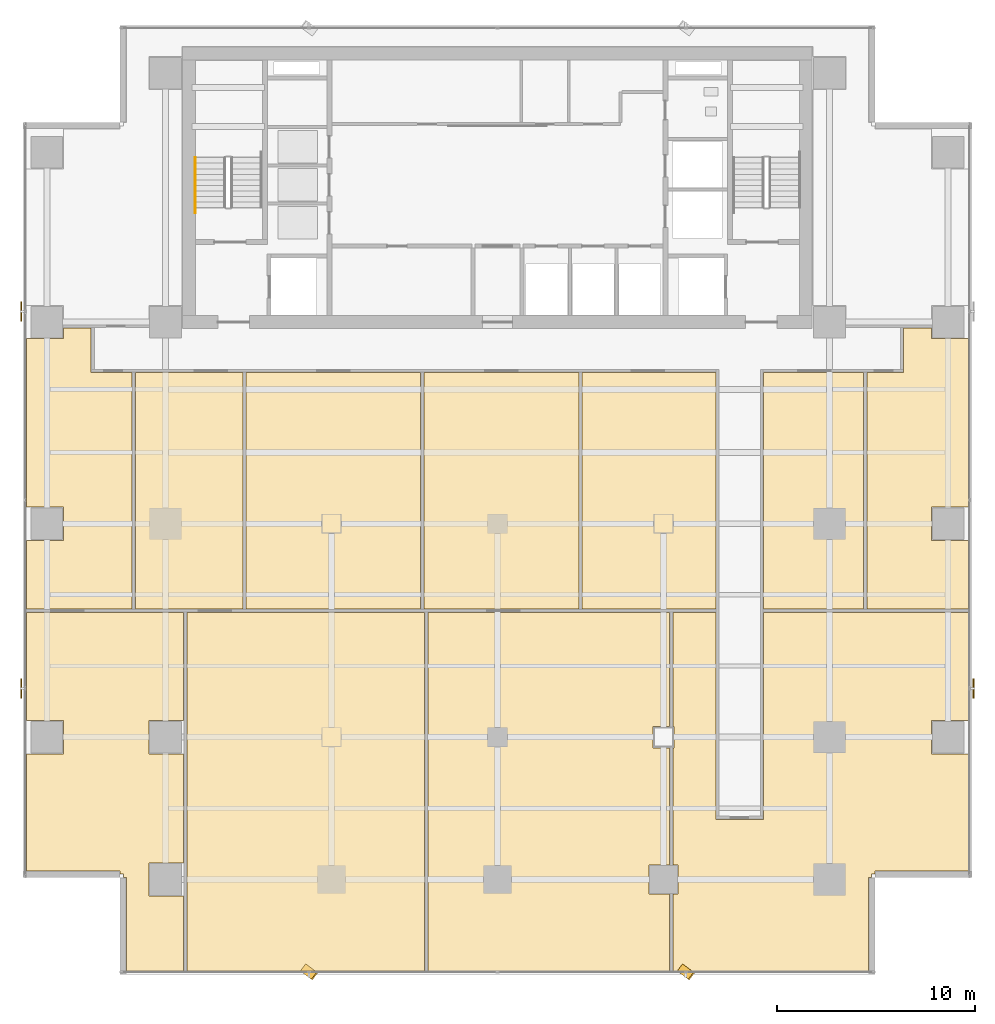
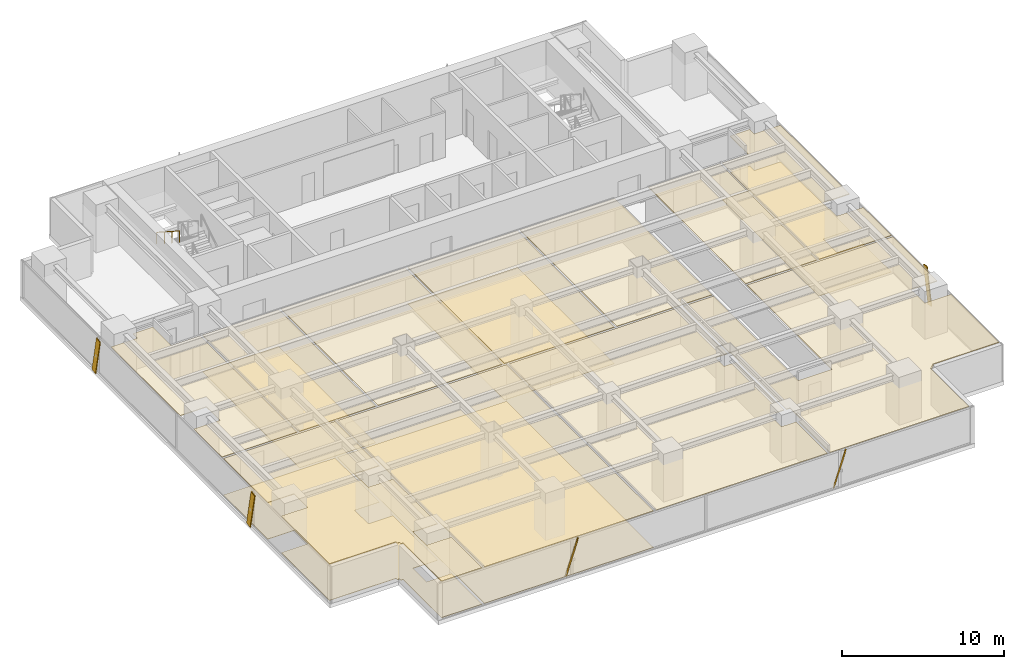
# One storey, part 24 of 29: 16 coverings, 5 shading devices, 1 railing.
"""IFC4 building model written with IfcOpenShell, lengths in metres."""

from ifc_helpers import new_model, si_unit, direction, frame, origin, origin_2d, place, context, subcontext, project, spatial, polyline, rectangle, outline, extrude, source, transform, mapped, material, layer, layer_set, material_profile, profile_set, type_object, element, save


model = new_model("IFC4")

# Units and contexts
model_context = context("Model", 3, precision=1e-05, world=origin(), true_north=direction((0.0, 1.0)))
body_context = subcontext(model_context, "Body", "Model", "MODEL_VIEW")
ifc_project = project(units=[si_unit("LENGTHUNIT", "METRE"), si_unit("AREAUNIT", "SQUARE_METRE"), si_unit("VOLUMEUNIT", "CUBIC_METRE"), si_unit("PLANEANGLEUNIT", "RADIAN"), si_unit("MASSUNIT", "GRAM", prefix="KILO")], contexts=[model_context])

# Site, building, storey
site_placement = place(None, origin())
site = spatial("IfcSite", under=ifc_project, at=site_placement, CompositionType="ELEMENT")
building_placement = place(site_placement, origin())
building = spatial("IfcBuilding", under=site, at=building_placement, Name="Sumidabori Civic Tower", CompositionType="ELEMENT")
storey_placement = place(building_placement, frame((0.0, 0.0, 131.60009765625)))
storey = spatial("IfcBuildingStorey", under=building, at=storey_placement, Name="L33", CompositionType="ELEMENT", Elevation=131.60009765625)

# Coverings
ifc_material_1 = material(Name="Anodised Bronze Baffle Ceiling")
ifc_layer_1 = layer(ifc_material_1, 0.054931640625, Name="Anodised Bronze Baffle Ceiling")
ifc_layer_set_1 = layer_set([ifc_layer_1], Name="Anodised Bronze Baffle Ceiling")
covering_type_1 = type_object("IfcCoveringType", Name="CV-CEIL-AC3", PredefinedType="CEILING", material=ifc_layer_set_1)
covering_1_placement = place(storey_placement, frame((0.0, 0.0, 2.72998046875)))
element("IfcCovering", 1, at=covering_1_placement, inside=storey, type_object=covering_type_1, Name="Room Acoustic Ceiling L33-02", PredefinedType="CEILING", context=body_context, shape_type="SweptSolid", body=[
    extrude(outline(polyline([(-23.830078125, -4.3125), (-23.830078125, -0.840087890625), (-21.9599609375, -0.840087890625), (-21.9599609375, 0.840087890625), (-23.830078125, 0.840087890625), (-23.830078125, 9.360107421875), (-21.9599609375, 9.360107421875), (-21.9599609375, 9.91259765625), (-20.554931640625, 9.91259765625), (-20.554931640625, 7.64501953125), (-18.487548828125, 7.64501953125), (-18.487548828125, -4.3125), (-23.830078125, -4.3125)])), origin(), (0.0, 0.0, 1.0), 0.054931640625),
])
covering_2_placement = place(storey_placement, frame((0.0, 0.0, 2.72998046875)))
element("IfcCovering", 2, at=covering_2_placement, inside=storey, type_object=covering_type_1, Name="Room Acoustic Ceiling L33-03", PredefinedType="CEILING", context=body_context, shape_type="SweptSolid", body=[
    extrude(outline(polyline([(23.830078125, 0.840087890625), (21.9599609375, 0.840087890625), (21.9599609375, -0.840087890625), (23.830078125, -0.840087890625), (23.830078125, -4.3125), (18.6875, -4.3125), (18.6875, 7.64501953125), (20.554931640625, 7.64501953125), (20.554931640625, 9.91259765625), (21.9599609375, 9.91259765625), (21.9599609375, 9.360107421875), (23.830078125, 9.360107421875), (23.830078125, 0.840087890625)])), origin(), (0.0, 0.0, 1.0), 0.054931640625),
])
covering_3_placement = place(storey_placement, frame((0.0, 0.0, 2.72998046875)))
element("IfcCovering", 3, at=covering_3_placement, inside=storey, type_object=covering_type_1, Name="Room Acoustic Ceiling L33-04", PredefinedType="CEILING", context=body_context, shape_type="SweptSolid", body=[
    extrude(outline(polyline([(13.455078125, -4.3125), (13.455078125, 7.64501953125), (18.512451171875, 7.64501953125), (18.512451171875, -4.3125), (13.455078125, -4.3125)])), origin(), (0.0, 0.0, 1.0), 0.054931640625),
])
covering_4_placement = place(storey_placement, frame((0.0, 0.0, 2.72998046875)))
element("IfcCovering", 4, at=covering_4_placement, inside=storey, type_object=covering_type_1, Name="Room Acoustic Ceiling L33-05", PredefinedType="CEILING", context=body_context, shape_type="SweptSolid", body=[
    extrude(outline(polyline([(-18.3125, -4.3125), (-18.3125, 7.64501953125), (-12.887451171875, 7.64501953125), (-12.887451171875, -4.3125), (-18.3125, -4.3125)])), origin(), (0.0, 0.0, 1.0), 0.054931640625),
])
covering_5_placement = place(storey_placement, frame((0.0, 0.0, 2.72998046875)))
element("IfcCovering", 5, at=covering_5_placement, inside=storey, type_object=covering_type_1, Name="Room Acoustic Ceiling L33-06", PredefinedType="CEILING", context=body_context, shape_type="SweptSolid", body=[
    extrude(outline(polyline([(-12.71240234375, -4.3125), (-12.71240234375, 7.64501953125), (-3.887451171875, 7.64501953125), (-3.887451171875, -4.3125), (-12.71240234375, -4.3125)])), origin(), (0.0, 0.0, 1.0), 0.054931640625),
])
covering_6_placement = place(storey_placement, frame((0.0, 0.0, 2.72998046875)))
element("IfcCovering", 6, at=covering_6_placement, inside=storey, type_object=covering_type_1, Name="Room Acoustic Ceiling L33-07", PredefinedType="CEILING", context=body_context, shape_type="SweptSolid", body=[
    extrude(outline(polyline([(-3.71240234375, -4.3125), (-3.71240234375, 7.64501953125), (4.112548828125, 7.64501953125), (4.112548828125, -4.3125), (-3.71240234375, -4.3125)])), origin(), (0.0, 0.0, 1.0), 0.054931640625),
])
covering_7_placement = place(storey_placement, frame((0.0, 0.0, 2.72998046875)))
element("IfcCovering", 7, at=covering_7_placement, inside=storey, type_object=covering_type_1, Name="Room Acoustic Ceiling L33-08", PredefinedType="CEILING", context=body_context, shape_type="SweptSolid", body=[
    extrude(outline(polyline([(4.28759765625, -4.3125), (4.28759765625, 7.64501953125), (11.044921875, 7.64501953125), (11.044921875, -4.3125), (4.28759765625, -4.3125)])), origin(), (0.0, 0.0, 1.0), 0.054931640625),
])
covering_8_placement = place(storey_placement, frame((0.0, 0.0, 2.72998046875)))
element("IfcCovering", 8, at=covering_8_placement, inside=storey, type_object=covering_type_1, Name="Room Acoustic Ceiling L33-09", PredefinedType="CEILING", context=body_context, shape_type="SweptSolid", body=[
    extrude(outline(polyline([(-23.830078125, -4.487548828125), (-15.887451171875, -4.487548828125), (-15.887451171875, -9.9599609375), (-17.639892578125, -9.9599609375), (-17.639892578125, -11.639892578125), (-15.887451171875, -11.639892578125), (-15.887451171875, -17.159912109375), (-17.639892578125, -17.159912109375), (-17.639892578125, -18.840087890625), (-15.887451171875, -18.840087890625), (-15.887451171875, -22.6298828125), (-18.77197265625, -22.6298828125), (-18.77197265625, -17.89208984375), (-18.929931640625, -17.89208984375), (-18.929931640625, -17.72998046875), (-19.092041015625, -17.72998046875), (-19.092041015625, -17.572021484375), (-23.830078125, -17.572021484375), (-23.830078125, -11.639892578125), (-21.9599609375, -11.639892578125), (-21.9599609375, -9.9599609375), (-23.830078125, -9.9599609375), (-23.830078125, -4.487548828125)])), origin(), (0.0, 0.0, 1.0), 0.054931640625),
])
covering_9_placement = place(storey_placement, frame((0.0, 0.0, 2.72998046875)))
element("IfcCovering", 9, at=covering_9_placement, inside=storey, type_object=covering_type_1, Name="Room Acoustic Ceiling L33-10", PredefinedType="CEILING", context=body_context, shape_type="SweptSolid", body=[
    extrude(outline(polyline([(8.93994140625, -10.260009765625), (8.887451171875, -10.260009765625), (8.887451171875, -4.487548828125), (11.044921875, -4.487548828125), (11.044921875, -14.955078125), (13.455078125, -14.955078125), (13.455078125, -4.487548828125), (23.830078125, -4.487548828125), (23.830078125, -9.9599609375), (21.9599609375, -9.9599609375), (21.9599609375, -11.639892578125), (23.830078125, -11.639892578125), (23.830078125, -17.572021484375), (19.092041015625, -17.572021484375), (19.092041015625, -17.72998046875), (18.929931640625, -17.72998046875), (18.929931640625, -17.89208984375), (18.77197265625, -17.89208984375), (18.77197265625, -22.6298828125), (8.887451171875, -22.6298828125), (8.887451171875, -18.739990234375), (9.139892578125, -18.739990234375), (9.139892578125, -17.260009765625), (8.887451171875, -17.260009765625), (8.887451171875, -11.340087890625), (8.93994140625, -11.340087890625), (8.93994140625, -10.260009765625)])), origin(), (0.0, 0.0, 1.0), 0.054931640625),
])
covering_10_placement = place(storey_placement, frame((0.0, 0.0, 2.72998046875)))
element("IfcCovering", 10, at=covering_10_placement, inside=storey, type_object=covering_type_1, Name="Room Acoustic Ceiling L33-11", PredefinedType="CEILING", context=body_context, shape_type="SweptSolid", body=[
    extrude(outline(polyline([(-15.71240234375, -4.487548828125), (-3.6875, -4.487548828125), (-3.6875, -22.6298828125), (-15.71240234375, -22.6298828125), (-15.71240234375, -4.487548828125)])), origin(), (0.0, 0.0, 1.0), 0.054931640625),
])
covering_11_placement = place(storey_placement, frame((0.0, 0.0, 2.72998046875)))
element("IfcCovering", 11, at=covering_11_placement, inside=storey, type_object=covering_type_1, Name="Room Acoustic Ceiling L33-12", PredefinedType="CEILING", context=body_context, shape_type="SweptSolid", body=[
    extrude(outline(polyline([(-3.512451171875, -4.487548828125), (8.71240234375, -4.487548828125), (8.71240234375, -10.260009765625), (7.860107421875, -10.260009765625), (7.860107421875, -11.340087890625), (8.71240234375, -11.340087890625), (8.71240234375, -17.260009765625), (7.659912109375, -17.260009765625), (7.659912109375, -18.739990234375), (8.71240234375, -18.739990234375), (8.71240234375, -22.6298828125), (-3.512451171875, -22.6298828125), (-3.512451171875, -4.487548828125)])), origin(), (0.0, 0.0, 1.0), 0.054931640625),
])
ifc_material_2 = material(Name="Honed Terrazzo Tile Flooring")
ifc_layer_2 = layer(ifc_material_2, 0.030029296875, Name="Honed Terrazzo Tile Flooring")
ifc_layer_set_2 = layer_set([ifc_layer_2], Name="Honed Terrazzo Tile Flooring")
covering_type_2 = type_object("IfcCoveringType", Name="CV-FLR-TER", PredefinedType="FLOORING", material=ifc_layer_set_2)
covering_12_placement = place(storey_placement, origin())
element("IfcCovering", 12, at=covering_12_placement, inside=storey, type_object=covering_type_2, Name="Room Terrazzo Floor L33-03", PredefinedType="FLOORING", context=body_context, shape_type="SweptSolid", body=[
    extrude(outline(polyline([(23.830078125, 0.840087890625), (21.9599609375, 0.840087890625), (21.9599609375, -0.840087890625), (23.830078125, -0.840087890625), (23.830078125, -4.3125), (18.6875, -4.3125), (18.6875, 7.64501953125), (20.554931640625, 7.64501953125), (20.554931640625, 9.91259765625), (21.9599609375, 9.91259765625), (21.9599609375, 9.360107421875), (23.830078125, 9.360107421875), (23.830078125, 0.840087890625)])), origin(), (0.0, 0.0, 1.0), 0.02978515625),
])
covering_13_placement = place(storey_placement, origin())
element("IfcCovering", 13, at=covering_13_placement, inside=storey, type_object=covering_type_2, Name="Room Terrazzo Floor L33-05", PredefinedType="FLOORING", context=body_context, shape_type="SweptSolid", body=[
    extrude(outline(polyline([(-18.3125, -4.3125), (-18.3125, 7.64501953125), (-12.887451171875, 7.64501953125), (-12.887451171875, -4.3125), (-18.3125, -4.3125)])), origin(), (0.0, 0.0, 1.0), 0.02978515625),
])
covering_14_placement = place(storey_placement, origin())
element("IfcCovering", 14, at=covering_14_placement, inside=storey, type_object=covering_type_2, Name="Room Terrazzo Floor L33-07", PredefinedType="FLOORING", context=body_context, shape_type="SweptSolid", body=[
    extrude(outline(polyline([(-3.71240234375, -4.3125), (-3.71240234375, 7.64501953125), (4.112548828125, 7.64501953125), (4.112548828125, -4.3125), (-3.71240234375, -4.3125)])), origin(), (0.0, 0.0, 1.0), 0.02978515625),
])
covering_15_placement = place(storey_placement, origin())
element("IfcCovering", 15, at=covering_15_placement, inside=storey, type_object=covering_type_2, Name="Room Terrazzo Floor L33-09", PredefinedType="FLOORING", context=body_context, shape_type="SweptSolid", body=[
    extrude(outline(polyline([(-23.830078125, -4.487548828125), (-15.887451171875, -4.487548828125), (-15.887451171875, -9.9599609375), (-17.639892578125, -9.9599609375), (-17.639892578125, -11.639892578125), (-15.887451171875, -11.639892578125), (-15.887451171875, -17.159912109375), (-17.639892578125, -17.159912109375), (-17.639892578125, -18.840087890625), (-15.887451171875, -18.840087890625), (-15.887451171875, -22.6298828125), (-18.77197265625, -22.6298828125), (-18.77197265625, -17.89208984375), (-18.929931640625, -17.89208984375), (-18.929931640625, -17.72998046875), (-19.092041015625, -17.72998046875), (-19.092041015625, -17.572021484375), (-23.830078125, -17.572021484375), (-23.830078125, -11.639892578125), (-21.9599609375, -11.639892578125), (-21.9599609375, -9.9599609375), (-23.830078125, -9.9599609375), (-23.830078125, -4.487548828125)])), origin(), (0.0, 0.0, 1.0), 0.02978515625),
])
covering_16_placement = place(storey_placement, origin())
element("IfcCovering", 16, at=covering_16_placement, inside=storey, type_object=covering_type_2, Name="Room Terrazzo Floor L33-11", PredefinedType="FLOORING", context=body_context, shape_type="SweptSolid", body=[
    extrude(outline(polyline([(-15.71240234375, -4.487548828125), (-3.6875, -4.487548828125), (-3.6875, -22.6298828125), (-15.71240234375, -22.6298828125), (-15.71240234375, -4.487548828125)])), origin(), (0.0, 0.0, 1.0), 0.02978515625),
])

# Railing
ifc_material_3 = material(Name="Stainless Steel Hairline Finish", Category="steel")
railing_type = type_object("IfcRailingType", Name="RL-HANDRAIL", PredefinedType="HANDRAIL", material=ifc_material_3)
railing_placement = place(storey_placement, frame((-15.2900390625, 18.52001953125, 1.97998046875)))
element("IfcRailing", 17, at=railing_placement, inside=storey, type_object=railing_type, Name="L33 ST-1 stair handrail 2", PredefinedType="HANDRAIL", context=body_context, shape_type="SweptSolid", body=[
    extrude(rectangle(XDim=0.048095703125, YDim=0.048095703125, at=origin_2d()), frame((0.0, 0.0, 0.8759765625), z_axis=(0.0, -0.840675598268, 0.541539046124), x_axis=(1.0, 0.0, 0.0)), (0.0, 0.0, 1.0), 3.330810546875),
    extrude(rectangle(XDim=0.0419921875, YDim=0.0419921875, at=origin_2d()), origin(), (0.0, 0.0, 1.0), 0.851806640625),
    extrude(rectangle(XDim=0.0419921875, YDim=0.0419921875, at=origin_2d()), frame((0.0, -0.933349609375, 0.601318359375)), (0.0, 0.0, 1.0), 0.851806640625),
    extrude(rectangle(XDim=0.0419921875, YDim=0.0419921875, at=origin_2d()), frame((0.0, -1.86669921875, 1.202392578125)), (0.0, 0.0, 1.0), 0.851806640625),
    extrude(rectangle(XDim=0.0419921875, YDim=0.0419921875, at=origin_2d()), frame((0.0, -2.800048828125, 1.8037109375)), (0.0, 0.0, 1.0), 0.851806640625),
])

# Shading devices
ifc_material_4 = material(Name="Anodised Bronze Aluminium AW-6063-T6", Category="aluminium")
ifc_material_profile = material_profile(ifc_material_4, rectangle(XDim=0.06005859375, YDim=0.449951171875, at=origin_2d()), Name="BRONZE FIN 450x60")
ifc_profile_set = profile_set([ifc_material_profile], Name="Anodised Bronze Aluminium AW-6063-T6")
shading_device_type = type_object("IfcShadingDeviceType", Name="SH-FIN-450", PredefinedType="USERDEFINED", material=ifc_profile_set)
shared_shape_1 = source(origin(), body_context, "Body", "SweptSolid", [
    extrude(rectangle(XDim=0.06005859375, YDim=0.449951171875, at=origin_2d()), origin(), (0.0, 0.0, 1.0), 2.789306640625),
])
for number, where, z_axis, x_axis, name in (
    (18, (-9.81494140625, -22.469970703125, 0.02001953125), (0.200794136335, -0.150551837182, 0.967995794998), (0.774477654896, -0.580689436103, -0.250966413819), "Bronze Anodised Diagonal Fin L33-01"),
    (19, (9.2548828125, -22.469970703125, 0.02001953125), (0.200794136335, -0.150551837182, 0.967995794998), (0.774477654896, -0.580689436103, -0.250966413819), "Bronze Anodised Diagonal Fin L33-03"),
):
    element("IfcShadingDevice", number, at=place(storey_placement, frame(where, z_axis=z_axis, x_axis=x_axis)), inside=storey, type_object=shading_device_type, Name=name, ObjectType="FIN", PredefinedType="USERDEFINED", context=body_context, shape_type="MappedRepresentation", body=[
        mapped(shared_shape_1, transform((0.0, 0.0, 0.0), x_axis=(1.0, 0.0, 0.0), y_axis=(0.0, 1.0, 0.0), z_axis=(0.0, 0.0, 1.0), scale=1.0)),
    ])
shared_shape_2 = source(origin(), body_context, "Body", "SweptSolid", [
    extrude(rectangle(XDim=0.06005859375, YDim=0.449951171875, at=origin_2d()), origin(), (0.0, 0.0, 1.0), 2.75732421875),
])
for number, where, z_axis, x_axis, name in (
    (20, (24.090087890625, -8.614990234375, 0.02001953125), (0.0, 0.203109150817, 0.979156102393), (-1.0, 0.0, 0.0), "Bronze Anodised Diagonal Fin L33-01"),
    (21, (-24.090087890625, 11.014892578125, 0.02001953125), (0.0, -0.20302426177, 0.979173707333), (-1.0, 0.0, 0.0), "Bronze Anodised Diagonal Fin L33-01"),
    (22, (-24.090087890625, -8.054931640625, 0.02001953125), (0.0, -0.203109150817, 0.979156102393), (-1.0, 0.0, 0.0), "Bronze Anodised Diagonal Fin L33-03"),
):
    element("IfcShadingDevice", number, at=place(storey_placement, frame(where, z_axis=z_axis, x_axis=x_axis)), inside=storey, type_object=shading_device_type, Name=name, ObjectType="FIN", PredefinedType="USERDEFINED", context=body_context, shape_type="MappedRepresentation", body=[
        mapped(shared_shape_2, transform((0.0, 0.0, 0.0), x_axis=(1.0, 0.0, 0.0), y_axis=(0.0, 1.0, 0.0), z_axis=(0.0, 0.0, 1.0), scale=1.0)),
    ])

save(model, "model.ifc")
